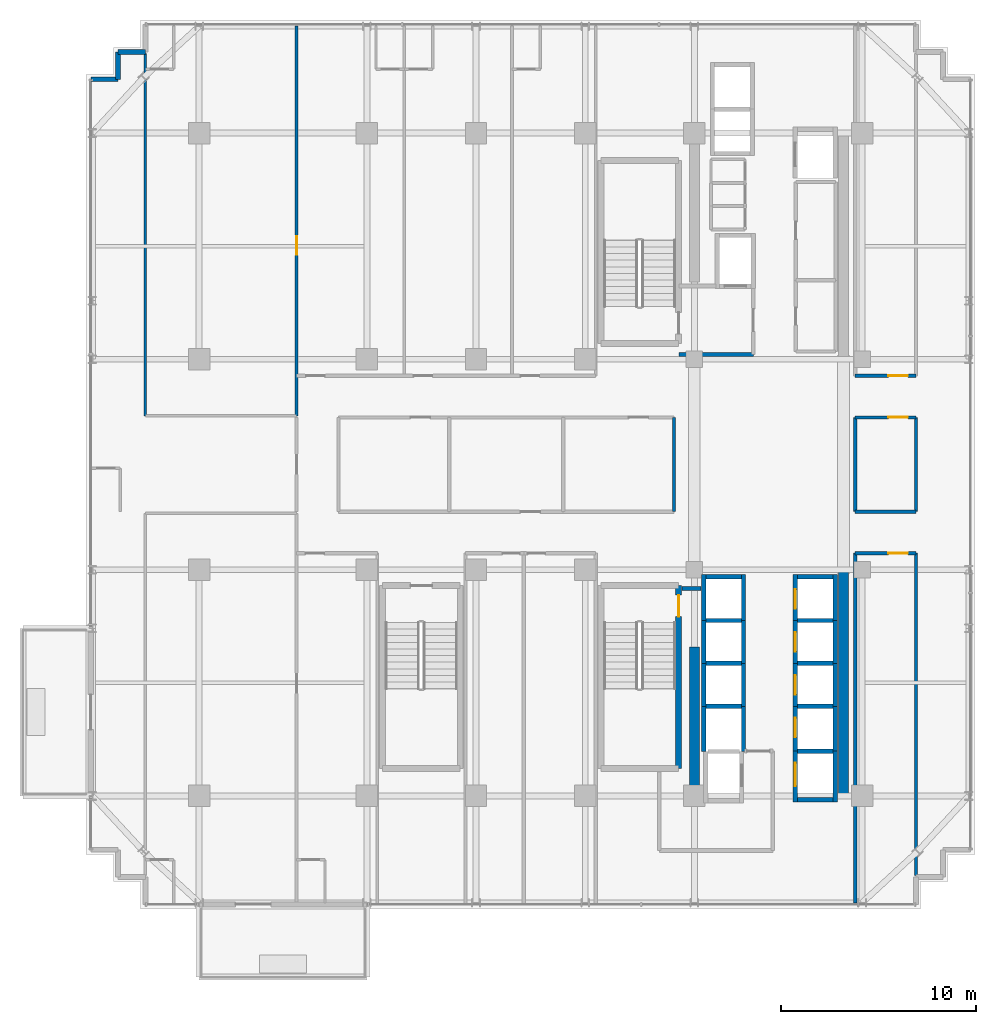
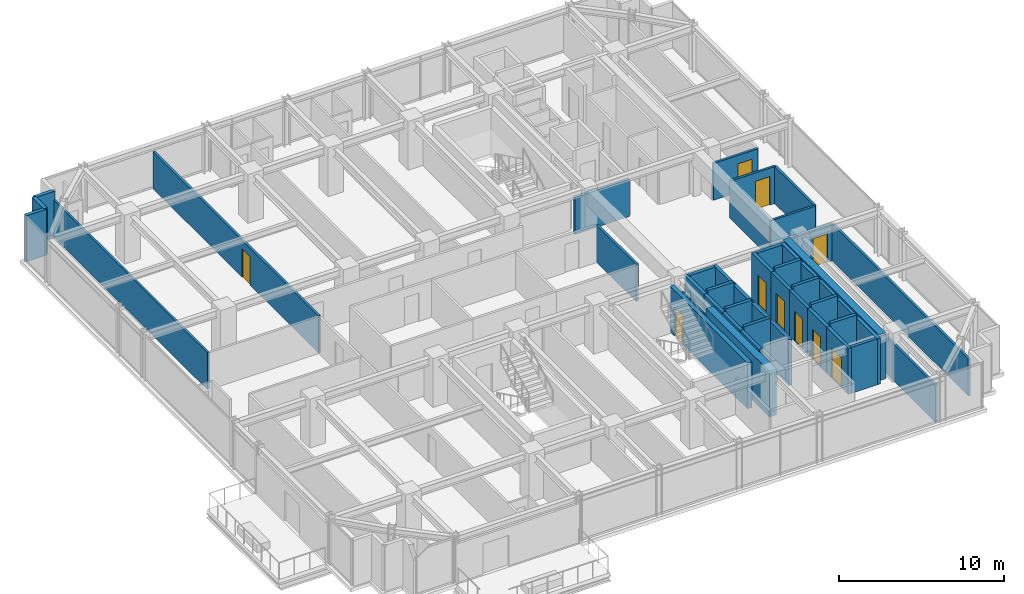
# One storey, part 26 of 31: 47 walls, 10 doors, 10 openings.
"""IFC4 building model written with IfcOpenShell, lengths in metres."""

from ifc_helpers import new_model, si_unit, direction, frame, frame_2d, origin, place, context, subcontext, project, spatial, rectangle, extrude, source, transform, mapped, material, layer, layer_set, type_object, element, fill, save


model = new_model("IFC4")

# Units and contexts
model_context = context("Model", 3, precision=1e-05, world=origin(), true_north=direction((0.0, 1.0)))
body_context = subcontext(model_context, "Body", "Model", "MODEL_VIEW")
ifc_project = project(units=[si_unit("LENGTHUNIT", "METRE"), si_unit("AREAUNIT", "SQUARE_METRE"), si_unit("VOLUMEUNIT", "CUBIC_METRE"), si_unit("PLANEANGLEUNIT", "RADIAN"), si_unit("MASSUNIT", "GRAM", prefix="KILO")], contexts=[model_context])

# Site, building, storey
site_placement = place(None, origin())
site = spatial("IfcSite", under=ifc_project, at=site_placement, CompositionType="ELEMENT")
building_placement = place(site_placement, origin())
building = spatial("IfcBuilding", under=site, at=building_placement, Name="Nahalor Promenade Grand Hotel", CompositionType="ELEMENT")
storey_placement = place(building_placement, frame((0.0, 0.0, 156.300048828125)))
storey = spatial("IfcBuildingStorey", under=building, at=storey_placement, Name="L39", CompositionType="ELEMENT", Elevation=156.300048828125)

# Walls
ifc_material_1 = material(Name="Concrete B-60 (C50/60)", Category="concrete")
ifc_layer_1 = layer(ifc_material_1, 0.5)
ifc_layer_set_1 = layer_set([ifc_layer_1], Name="Concrete B-60 (C50/60)")
wall_type_1 = type_object("IfcWallType", Name="Wall-CoreShear-500", PredefinedType="SHEAR", material=ifc_layer_set_1)
shared_shape_1 = source(origin(), body_context, "Body", "SweptSolid", [
    extrude(rectangle(XDim=7.64990234375, YDim=0.5, at=frame_2d((3.824951171875, 0.0))), origin(), (0.0, 0.0, 1.0), 3.389892578125),
])
wall_1_placement = place(storey_placement, frame((8.39990234375, -17.0, 0.0), z_axis=(0.0, 0.0, 1.0), x_axis=(0.0, 1.0, 0.0)))
element("IfcWall", 1, at=wall_1_placement, inside=storey, type_object=wall_type_1, Name="CWALL-L39-SW", PredefinedType="SHEAR", context=body_context, shape_type="MappedRepresentation", body=[
    mapped(shared_shape_1, transform((0.0, 0.0, 0.0), scale=1.0)),
])
shared_shape_2 = source(origin(), body_context, "Body", "SweptSolid", [
    extrude(rectangle(XDim=11.60009765625, YDim=0.5, at=frame_2d((5.800048828125, 0.0))), origin(), (0.0, 0.0, 1.0), 3.389892578125),
])
wall_2_placement = place(storey_placement, frame((16.050048828125, -17.0, 0.0), z_axis=(0.0, 0.0, 1.0), x_axis=(0.0, 1.0, 0.0)))
element("IfcWall", 2, at=wall_2_placement, inside=storey, type_object=wall_type_1, Name="CWALL-L39-SE", PredefinedType="SHEAR", context=body_context, shape_type="MappedRepresentation", body=[
    mapped(shared_shape_2, transform((0.0, 0.0, 0.0), scale=1.0)),
])

# Wall, opening, door
ifc_material_2 = material(Name="Concrete B-50 (C40/50)", Category="concrete")
ifc_layer_2 = layer(ifc_material_2, 0.300048828125)
ifc_layer_set_2 = layer_set([ifc_layer_2], Name="Concrete B-50 (C40/50)")
wall_type_2 = type_object("IfcWallType", Name="Wall-ShaftShear-300", PredefinedType="SHEAR", material=ifc_layer_set_2)
shared_shape_3 = source(origin(), body_context, "Body", "SweptSolid", [
    extrude(rectangle(XDim=9.380126953125, YDim=0.300048828125, at=frame_2d((4.68994140625, 0.0))), origin(), (0.0, 0.0, 1.0), 3.389892578125),
])
wall_3_placement = place(storey_placement, frame((7.590087890625, -15.590087890625, 0.0), z_axis=(0.0, 0.0, 1.0), x_axis=(0.0, 1.0, 0.0)))
wall_3 = element("IfcWall", 3, at=wall_3_placement, inside=storey, type_object=wall_type_2, Name="L39 Exit Stair ST2 Shaft Wall E", PredefinedType="SHEAR", context=body_context, shape_type="MappedRepresentation", body=[
    mapped(shared_shape_3, transform((0.0, 0.0, 0.0), scale=1.0)),
])
opening_1_placement = place(wall_3_placement, frame((7.7900390625, 0.0, 0.0)))
opening_1 = element("IfcOpeningElement", 4, at=opening_1_placement, cuts=wall_3, Name="Opening D-ST1", PredefinedType="OPENING", context=body_context, shape_type="SweptSolid", body=[
    extrude(rectangle(XDim=1.10009765625, YDim=2.14990234375, at=frame_2d((0.550048828125, 1.074951171875))), frame((0.0, 0.159912109375, 0.0), z_axis=(0.0, -1.0, 0.0), x_axis=(1.0, 0.0, 0.0)), (0.0, 0.0, 1.0), 0.320068359375),
])
ifc_material_3 = material(Name="Steel S355JR", Category="steel")
door_type_1 = type_object("IfcDoorType", Name="Door-StairFire-1100", OperationType="NOTDEFINED", PredefinedType="DOOR", material=ifc_material_3)
shared_shape_4 = source(origin(), body_context, "Body", "SweptSolid", [
    extrude(rectangle(XDim=1.10009765625, YDim=2.14990234375, at=frame_2d((0.550048828125, 1.074951171875))), frame((0.0, 0.02490234375, 0.0), z_axis=(0.0, -1.0, 0.0), x_axis=(1.0, 0.0, 0.0)), (0.0, 0.0, 1.0), 0.050048828125),
])
door_1_placement = place(opening_1_placement, origin())
door_1 = element("IfcDoor", 5, at=door_1_placement, inside=storey, type_object=door_type_1, Name="DR-STAIR-ST2-L39", OperationType="SINGLE_SWING_RIGHT", OverallHeight=2.14990234375, OverallWidth=1.10009765625, PredefinedType="DOOR", context=body_context, shape_type="MappedRepresentation", body=[
    mapped(shared_shape_4, transform((0.0, 0.0, 0.0), scale=1.0)),
])
fill(opening_1, door_1)

# Walls
ifc_layer_3 = layer(ifc_material_2, 0.219970703125)
ifc_layer_set_3 = layer_set([ifc_layer_3], Name="Concrete B-50 (C40/50)")
wall_type_3 = type_object("IfcWallType", Name="Wall-LiftShaft-220", PredefinedType="SHEAR", material=ifc_layer_set_3)
shared_shape_5 = source(origin(), body_context, "Body", "SweptSolid", [
    extrude(rectangle(XDim=1.820068359375, YDim=0.219970703125, at=frame_2d((0.91015625, 0.0))), origin(), (0.0, 0.0, 1.0), 3.64990234375),
])
for number, where, z_axis, x_axis, name in (
    (6, (13.68994140625, -8.0, 0.0), (0.0, 0.0, 1.0), (1.0, 0.0, 0.0), "L39 Lift PL6 Hoistway Wall N"),
    (7, (13.68994140625, -10.199951171875, 0.0), (0.0, 0.0, 1.0), (1.0, 0.0, 0.0), "L39 Lift PL7 Hoistway Wall N"),
    (8, (13.68994140625, -12.39990234375, 0.0), (0.0, 0.0, 1.0), (1.0, 0.0, 0.0), "L39 Lift PL8 Hoistway Wall N"),
    (9, (8.989990234375, -8.0, 0.0), (0.0, 0.0, 1.0), (1.0, 0.0, 0.0), "L39 Lift PL10 Hoistway Wall N"),
    (10, (8.989990234375, -10.199951171875, 0.0), (0.0, 0.0, 1.0), (1.0, 0.0, 0.0), "L39 Lift PL11 Hoistway Wall N"),
    (11, (8.989990234375, -12.39990234375, 0.0), (0.0, 0.0, 1.0), (1.0, 0.0, 0.0), "L39 Lift PL12 Hoistway Wall N"),
    (12, (13.68994140625, -14.699951171875, 0.0), (0.0, 0.0, 1.0), (1.0, 0.0, 0.0), "L39 Lift SV2 Hoistway Wall N"),
):
    element("IfcWall", number, at=place(storey_placement, frame(where, z_axis=z_axis, x_axis=x_axis)), inside=storey, type_object=wall_type_3, Name=name, PredefinedType="SHEAR", context=body_context, shape_type="MappedRepresentation", body=[
        mapped(shared_shape_5, transform((0.0, 0.0, 0.0), scale=1.0)),
    ])

# Wall, opening, door
shared_shape_6 = source(origin(), body_context, "Body", "SweptSolid", [
    extrude(rectangle(XDim=2.360107421875, YDim=0.219970703125, at=frame_2d((1.18017578125, 0.0))), origin(), (0.0, 0.0, 1.0), 3.389892578125),
])
wall_4_placement = place(storey_placement, frame((13.580078125, -8.0, 0.0), z_axis=(0.0, 0.0, 1.0), x_axis=(0.0, 1.0, 0.0)))
wall_4 = element("IfcWall", 13, at=wall_4_placement, inside=storey, type_object=wall_type_3, Name="L39 Lift PL5 Hoistway Wall W", PredefinedType="SHEAR", context=body_context, shape_type="MappedRepresentation", body=[
    mapped(shared_shape_6, transform((0.0, 0.0, 0.0), scale=1.0)),
])
opening_2_placement = place(wall_4_placement, frame((0.60009765625, 0.0, 0.0)))
opening_2 = element("IfcOpeningElement", 14, at=opening_2_placement, cuts=wall_4, Name="Opening LD-01", PredefinedType="OPENING", context=body_context, shape_type="SweptSolid", body=[
    extrude(rectangle(XDim=1.0, YDim=2.199951171875, at=frame_2d((0.5, 1.10009765625))), frame((0.0, 0.119873046875, 0.0), z_axis=(0.0, -1.0, 0.0), x_axis=(1.0, 0.0, 0.0)), (0.0, 0.0, 1.0), 0.239990234375),
])
door_type_2 = type_object("IfcDoorType", Name="Door-LiftLanding-1000", OperationType="DOUBLE_DOOR_SLIDING", PredefinedType="DOOR", material=ifc_material_3)
shared_shape_7 = source(origin(), body_context, "Body", "SweptSolid", [
    extrude(rectangle(XDim=1.0, YDim=2.199951171875, at=frame_2d((0.5, 1.10009765625))), frame((0.0, 0.02490234375, 0.0), z_axis=(0.0, -1.0, 0.0), x_axis=(1.0, 0.0, 0.0)), (0.0, 0.0, 1.0), 0.050048828125),
])
door_2_placement = place(opening_2_placement, origin())
door_2 = element("IfcDoor", 15, at=door_2_placement, inside=storey, type_object=door_type_2, Name="DR-LIFT-PL5-L39", OperationType="DOUBLE_DOOR_SLIDING", OverallHeight=2.199951171875, OverallWidth=1.0, PredefinedType="DOOR", context=body_context, shape_type="MappedRepresentation", body=[
    mapped(shared_shape_7, transform((0.0, 0.0, 0.0), scale=1.0)),
])
fill(opening_2, door_2)

# Walls
for number, where, z_axis, x_axis, name in (
    (16, (15.6201171875, -8.0, 0.0), (0.0, 0.0, 1.0), (0.0, 1.0, 0.0), "L39 Lift PL5 Hoistway Wall E"),
    (17, (8.8798828125, -8.0, 0.0), (0.0, 0.0, 1.0), (0.0, 1.0, 0.0), "L39 Lift PL9 Hoistway Wall W"),
    (18, (10.919921875, -8.0, 0.0), (0.0, 0.0, 1.0), (0.0, 1.0, 0.0), "L39 Lift PL9 Hoistway Wall E"),
):
    element("IfcWall", number, at=place(storey_placement, frame(where, z_axis=z_axis, x_axis=x_axis)), inside=storey, type_object=wall_type_3, Name=name, PredefinedType="SHEAR", context=body_context, shape_type="MappedRepresentation", body=[
        mapped(shared_shape_6, transform((0.0, 0.0, 0.0), scale=1.0)),
    ])
shared_shape_8 = source(origin(), body_context, "Body", "SweptSolid", [
    extrude(rectangle(XDim=1.820068359375, YDim=0.219970703125, at=frame_2d((0.91015625, 0.0))), origin(), (0.0, 0.0, 1.0), 3.389892578125),
])
for number, where, z_axis, x_axis, name in (
    (19, (13.68994140625, -5.75, 0.0), (0.0, 0.0, 1.0), (1.0, 0.0, 0.0), "L39 Lift PL5 Hoistway Wall N"),
    (20, (8.989990234375, -5.75, 0.0), (0.0, 0.0, 1.0), (1.0, 0.0, 0.0), "L39 Lift PL9 Hoistway Wall N"),
    (21, (13.68994140625, -17.199951171875, 0.0), (0.0, 0.0, 1.0), (1.0, 0.0, 0.0), "L39 Lift SV2 Hoistway Wall S"),
):
    element("IfcWall", number, at=place(storey_placement, frame(where, z_axis=z_axis, x_axis=x_axis)), inside=storey, type_object=wall_type_3, Name=name, PredefinedType="SHEAR", context=body_context, shape_type="MappedRepresentation", body=[
        mapped(shared_shape_8, transform((0.0, 0.0, 0.0), scale=1.0)),
    ])

# Wall, opening, door
shared_shape_9 = source(origin(), body_context, "Body", "SweptSolid", [
    extrude(rectangle(XDim=2.199951171875, YDim=0.219970703125, at=frame_2d((1.10009765625, 0.0))), origin(), (0.0, 0.0, 1.0), 3.389892578125),
])
wall_5_placement = place(storey_placement, frame((13.580078125, -10.199951171875, 0.0), z_axis=(0.0, 0.0, 1.0), x_axis=(0.0, 1.0, 0.0)))
wall_5 = element("IfcWall", 22, at=wall_5_placement, inside=storey, type_object=wall_type_3, Name="L39 Lift PL6 Hoistway Wall W", PredefinedType="SHEAR", context=body_context, shape_type="MappedRepresentation", body=[
    mapped(shared_shape_9, transform((0.0, 0.0, 0.0), scale=1.0)),
])
opening_3_placement = place(wall_5_placement, frame((0.60009765625, 0.0, 0.0)))
opening_3 = element("IfcOpeningElement", 23, at=opening_3_placement, cuts=wall_5, Name="Opening LD-01", PredefinedType="OPENING", context=body_context, shape_type="SweptSolid", body=[
    extrude(rectangle(XDim=1.0, YDim=2.199951171875, at=frame_2d((0.5, 1.10009765625))), frame((0.0, 0.119873046875, 0.0), z_axis=(0.0, -1.0, 0.0), x_axis=(1.0, 0.0, 0.0)), (0.0, 0.0, 1.0), 0.239990234375),
])
door_3_placement = place(opening_3_placement, origin())
door_3 = element("IfcDoor", 24, at=door_3_placement, inside=storey, type_object=door_type_2, Name="DR-LIFT-PL6-L39", OperationType="DOUBLE_DOOR_SLIDING", OverallHeight=2.199951171875, OverallWidth=1.0, PredefinedType="DOOR", context=body_context, shape_type="MappedRepresentation", body=[
    mapped(shared_shape_7, transform((0.0, 0.0, 0.0), scale=1.0)),
])
fill(opening_3, door_3)

# Wall
wall_6_placement = place(storey_placement, frame((15.6201171875, -10.199951171875, 0.0), z_axis=(0.0, 0.0, 1.0), x_axis=(0.0, 1.0, 0.0)))
element("IfcWall", 25, at=wall_6_placement, inside=storey, type_object=wall_type_3, Name="L39 Lift PL6 Hoistway Wall E", PredefinedType="SHEAR", context=body_context, shape_type="MappedRepresentation", body=[
    mapped(shared_shape_9, transform((0.0, 0.0, 0.0), scale=1.0)),
])

# Wall, opening, door
wall_7_placement = place(storey_placement, frame((13.580078125, -12.39990234375, 0.0), z_axis=(0.0, 0.0, 1.0), x_axis=(0.0, 1.0, 0.0)))
wall_7 = element("IfcWall", 26, at=wall_7_placement, inside=storey, type_object=wall_type_3, Name="L39 Lift PL7 Hoistway Wall W", PredefinedType="SHEAR", context=body_context, shape_type="MappedRepresentation", body=[
    mapped(shared_shape_9, transform((0.0, 0.0, 0.0), scale=1.0)),
])
opening_4_placement = place(wall_7_placement, frame((0.60009765625, 0.0, 0.0)))
opening_4 = element("IfcOpeningElement", 27, at=opening_4_placement, cuts=wall_7, Name="Opening LD-01", PredefinedType="OPENING", context=body_context, shape_type="SweptSolid", body=[
    extrude(rectangle(XDim=1.0, YDim=2.199951171875, at=frame_2d((0.5, 1.10009765625))), frame((0.0, 0.119873046875, 0.0), z_axis=(0.0, -1.0, 0.0), x_axis=(1.0, 0.0, 0.0)), (0.0, 0.0, 1.0), 0.239990234375),
])
door_4_placement = place(opening_4_placement, origin())
door_4 = element("IfcDoor", 28, at=door_4_placement, inside=storey, type_object=door_type_2, Name="DR-LIFT-PL7-L39", OperationType="DOUBLE_DOOR_SLIDING", OverallHeight=2.199951171875, OverallWidth=1.0, PredefinedType="DOOR", context=body_context, shape_type="MappedRepresentation", body=[
    mapped(shared_shape_7, transform((0.0, 0.0, 0.0), scale=1.0)),
])
fill(opening_4, door_4)

# Walls
for number, where, z_axis, x_axis, name in (
    (29, (15.6201171875, -12.39990234375, 0.0), (0.0, 0.0, 1.0), (0.0, 1.0, 0.0), "L39 Lift PL7 Hoistway Wall E"),
    (30, (8.8798828125, -10.199951171875, 0.0), (0.0, 0.0, 1.0), (0.0, 1.0, 0.0), "L39 Lift PL10 Hoistway Wall W"),
    (31, (10.919921875, -10.199951171875, 0.0), (0.0, 0.0, 1.0), (0.0, 1.0, 0.0), "L39 Lift PL10 Hoistway Wall E"),
    (32, (8.8798828125, -12.39990234375, 0.0), (0.0, 0.0, 1.0), (0.0, 1.0, 0.0), "L39 Lift PL11 Hoistway Wall W"),
    (33, (10.919921875, -12.39990234375, 0.0), (0.0, 0.0, 1.0), (0.0, 1.0, 0.0), "L39 Lift PL11 Hoistway Wall E"),
):
    element("IfcWall", number, at=place(storey_placement, frame(where, z_axis=z_axis, x_axis=x_axis)), inside=storey, type_object=wall_type_3, Name=name, PredefinedType="SHEAR", context=body_context, shape_type="MappedRepresentation", body=[
        mapped(shared_shape_9, transform((0.0, 0.0, 0.0), scale=1.0)),
    ])

# Wall, opening, door
shared_shape_10 = source(origin(), body_context, "Body", "SweptSolid", [
    extrude(rectangle(XDim=2.300048828125, YDim=0.219970703125, at=frame_2d((1.14990234375, 0.0))), origin(), (0.0, 0.0, 1.0), 3.389892578125),
])
wall_8_placement = place(storey_placement, frame((13.580078125, -14.699951171875, 0.0), z_axis=(0.0, 0.0, 1.0), x_axis=(0.0, 1.0, 0.0)))
wall_8 = element("IfcWall", 34, at=wall_8_placement, inside=storey, type_object=wall_type_3, Name="L39 Lift PL8 Hoistway Wall W", PredefinedType="SHEAR", context=body_context, shape_type="MappedRepresentation", body=[
    mapped(shared_shape_10, transform((0.0, 0.0, 0.0), scale=1.0)),
])
opening_5_placement = place(wall_8_placement, frame((0.699951171875, 0.0, 0.0)))
opening_5 = element("IfcOpeningElement", 35, at=opening_5_placement, cuts=wall_8, Name="Opening LD-01", PredefinedType="OPENING", context=body_context, shape_type="SweptSolid", body=[
    extrude(rectangle(XDim=1.0, YDim=2.199951171875, at=frame_2d((0.5, 1.10009765625))), frame((0.0, 0.119873046875, 0.0), z_axis=(0.0, -1.0, 0.0), x_axis=(1.0, 0.0, 0.0)), (0.0, 0.0, 1.0), 0.239990234375),
])
door_5_placement = place(opening_5_placement, origin())
door_5 = element("IfcDoor", 36, at=door_5_placement, inside=storey, type_object=door_type_2, Name="DR-LIFT-PL8-L39", OperationType="DOUBLE_DOOR_SLIDING", OverallHeight=2.199951171875, OverallWidth=1.0, PredefinedType="DOOR", context=body_context, shape_type="MappedRepresentation", body=[
    mapped(shared_shape_7, transform((0.0, 0.0, 0.0), scale=1.0)),
])
fill(opening_5, door_5)

# Walls
wall_9_placement = place(storey_placement, frame((15.6201171875, -14.699951171875, 0.0), z_axis=(0.0, 0.0, 1.0), x_axis=(0.0, 1.0, 0.0)))
element("IfcWall", 37, at=wall_9_placement, inside=storey, type_object=wall_type_3, Name="L39 Lift PL8 Hoistway Wall E", PredefinedType="SHEAR", context=body_context, shape_type="MappedRepresentation", body=[
    mapped(shared_shape_10, transform((0.0, 0.0, 0.0), scale=1.0)),
])
shared_shape_11 = source(origin(), body_context, "Body", "SweptSolid", [
    extrude(rectangle(XDim=2.3251953125, YDim=0.219970703125, at=frame_2d((1.16259765625, 0.0))), origin(), (0.0, 0.0, 1.0), 3.389892578125),
])
for number, where, z_axis, x_axis, name in (
    (38, (8.8798828125, -14.72509765625, 0.0), (0.0, 0.0, 1.0), (0.0, 1.0, 0.0), "L39 Lift PL12 Hoistway Wall W"),
    (39, (10.919921875, -14.72509765625, 0.0), (0.0, 0.0, 1.0), (0.0, 1.0, 0.0), "L39 Lift PL12 Hoistway Wall E"),
):
    element("IfcWall", number, at=place(storey_placement, frame(where, z_axis=z_axis, x_axis=x_axis)), inside=storey, type_object=wall_type_3, Name=name, PredefinedType="SHEAR", context=body_context, shape_type="MappedRepresentation", body=[
        mapped(shared_shape_11, transform((0.0, 0.0, 0.0), scale=1.0)),
    ])

# Wall, opening, door
shared_shape_12 = source(origin(), body_context, "Body", "SweptSolid", [
    extrude(rectangle(XDim=2.610107421875, YDim=0.219970703125, at=frame_2d((1.30517578125, 0.0))), origin(), (0.0, 0.0, 1.0), 3.389892578125),
])
wall_10_placement = place(storey_placement, frame((13.580078125, -17.31005859375, 0.0), z_axis=(0.0, 0.0, 1.0), x_axis=(0.0, 1.0, 0.0)))
wall_10 = element("IfcWall", 40, at=wall_10_placement, inside=storey, type_object=wall_type_3, Name="L39 Lift SV2 Hoistway Wall W", PredefinedType="SHEAR", context=body_context, shape_type="MappedRepresentation", body=[
    mapped(shared_shape_12, transform((0.0, 0.0, 0.0), scale=1.0)),
])
opening_6_placement = place(wall_10_placement, frame((0.81005859375, 0.0, 0.0)))
opening_6 = element("IfcOpeningElement", 41, at=opening_6_placement, cuts=wall_10, Name="Opening LD-03", PredefinedType="OPENING", context=body_context, shape_type="SweptSolid", body=[
    extrude(rectangle(XDim=1.199951171875, YDim=2.199951171875, at=frame_2d((0.60009765625, 1.10009765625))), frame((0.0, 0.119873046875, 0.0), z_axis=(0.0, -1.0, 0.0), x_axis=(1.0, 0.0, 0.0)), (0.0, 0.0, 1.0), 0.239990234375),
])
door_type_3 = type_object("IfcDoorType", Name="Door-LiftService-1200", OperationType="DOUBLE_DOOR_SLIDING", PredefinedType="DOOR", material=ifc_material_3)
shared_shape_13 = source(origin(), body_context, "Body", "SweptSolid", [
    extrude(rectangle(XDim=1.199951171875, YDim=2.199951171875, at=frame_2d((0.60009765625, 1.10009765625))), frame((0.0, 0.02490234375, 0.0), z_axis=(0.0, -1.0, 0.0), x_axis=(1.0, 0.0, 0.0)), (0.0, 0.0, 1.0), 0.050048828125),
])
door_6_placement = place(opening_6_placement, origin())
door_6 = element("IfcDoor", 42, at=door_6_placement, inside=storey, type_object=door_type_3, Name="DR-LIFT-SV2-L39", OperationType="DOUBLE_DOOR_SLIDING", OverallHeight=2.199951171875, OverallWidth=1.199951171875, PredefinedType="DOOR", context=body_context, shape_type="MappedRepresentation", body=[
    mapped(shared_shape_13, transform((0.0, 0.0, 0.0), scale=1.0)),
])
fill(opening_6, door_6)

# Walls
wall_11_placement = place(storey_placement, frame((15.6201171875, -17.31005859375, 0.0), z_axis=(0.0, 0.0, 1.0), x_axis=(0.0, 1.0, 0.0)))
element("IfcWall", 43, at=wall_11_placement, inside=storey, type_object=wall_type_3, Name="L39 Lift SV2 Hoistway Wall E", PredefinedType="SHEAR", context=body_context, shape_type="MappedRepresentation", body=[
    mapped(shared_shape_12, transform((0.0, 0.0, 0.0), scale=1.0)),
])
ifc_material_4 = material(Name="Concrete B-40 (C32/40)", Category="concrete")
ifc_layer_4 = layer(ifc_material_4, 0.25)
ifc_layer_set_4 = layer_set([ifc_layer_4], Name="Concrete B-40 (C32/40)")
wall_type_4 = type_object("IfcWallType", Name="Wall-BronzePier-250", PredefinedType="STANDARD", material=ifc_layer_set_4)
shared_shape_14 = source(origin(), body_context, "Body", "SweptSolid", [
    extrude(rectangle(XDim=1.400146484375, YDim=0.25, at=frame_2d((0.7001953125, 0.0))), origin(), (0.0, 0.0, 1.0), 3.389892578125),
])
wall_12_placement = place(storey_placement, frame((-22.56005859375, 19.760009765625, 0.0), z_axis=(0.0, 0.0, 1.0), x_axis=(1.0, 0.0, 0.0)))
element("IfcWall", 44, at=wall_12_placement, inside=storey, type_object=wall_type_4, Name="W-L39-SR-12", PredefinedType="STANDARD", context=body_context, shape_type="MappedRepresentation", body=[
    mapped(shared_shape_14, transform((0.0, 0.0, 0.0), scale=1.0)),
])
shared_shape_15 = source(origin(), body_context, "Body", "SweptSolid", [
    extrude(rectangle(XDim=1.39990234375, YDim=0.25, at=frame_2d((0.699951171875, 0.0))), origin(), (0.0, 0.0, 1.0), 3.389892578125),
])
for number, where, z_axis, x_axis, name in (
    (45, (-21.159912109375, 21.159912109375, 0.0), (0.0, 0.0, 1.0), (1.0, 0.0, 0.0), "W-L39-SR-10"),
    (46, (-21.159912109375, 19.760009765625, 0.0), (0.0, 0.0, 1.0), (0.0, 1.0, 0.0), "W-L39-SR-11"),
):
    element("IfcWall", number, at=place(storey_placement, frame(where, z_axis=z_axis, x_axis=x_axis)), inside=storey, type_object=wall_type_4, Name=name, PredefinedType="STANDARD", context=body_context, shape_type="MappedRepresentation", body=[
        mapped(shared_shape_15, transform((0.0, 0.0, 0.0), scale=1.0)),
    ])
ifc_layer_5 = layer(ifc_material_4, 0.199951171875)
ifc_layer_set_5 = layer_set([ifc_layer_5], Name="Concrete B-40 (C32/40)")
wall_type_5 = type_object("IfcWallType", Name="Wall-PartFire-200", PredefinedType="PARTITIONING", material=ifc_layer_set_5)
shared_shape_16 = source(origin(), body_context, "Body", "SweptSolid", [
    extrude(rectangle(XDim=3.81982421875, YDim=0.199951171875, at=frame_2d((1.909912109375, 0.0))), origin(), (0.0, 0.0, 1.0), 2.72998046875),
])
wall_13_placement = place(storey_placement, frame((7.60009765625, 5.64990234375, 0.0), z_axis=(0.0, 0.0, 1.0), x_axis=(1.0, 0.0, 0.0)))
element("IfcWall", 47, at=wall_13_placement, inside=storey, type_object=wall_type_5, Name="W-L39-FF1-S", PredefinedType="PARTITIONING", context=body_context, shape_type="MappedRepresentation", body=[
    mapped(shared_shape_16, transform((0.0, 0.0, 0.0), scale=1.0)),
])
shared_shape_17 = source(origin(), body_context, "Body", "SweptSolid", [
    extrude(rectangle(XDim=0.969970703125, YDim=0.199951171875, at=frame_2d((0.48486328125, 0.0))), origin(), (0.0, 0.0, 1.0), 2.72998046875),
])
wall_14_placement = place(storey_placement, frame((7.77001953125, -6.35009765625, 0.0), z_axis=(0.0, 0.0, 1.0), x_axis=(1.0, 0.0, 0.0)))
element("IfcWall", 48, at=wall_14_placement, inside=storey, type_object=wall_type_5, Name="W-L39-FF2-N2", PredefinedType="PARTITIONING", context=body_context, shape_type="MappedRepresentation", body=[
    mapped(shared_shape_17, transform((0.0, 0.0, 0.0), scale=1.0)),
])

# Wall, opening, door
ifc_material_5 = material(Name="Acoustic Mineral Gypsum", Category="gypsum")
ifc_layer_6 = layer(ifc_material_5, 0.159912109375)
ifc_layer_set_6 = layer_set([ifc_layer_6], Name="Acoustic Mineral Gypsum")
wall_type_6 = type_object("IfcWallType", Name="Wall-PartCorridor-160", PredefinedType="PARTITIONING", material=ifc_layer_set_6)
shared_shape_18 = source(origin(), body_context, "Body", "SweptSolid", [
    extrude(rectangle(XDim=3.110107421875, YDim=0.159912109375, at=frame_2d((1.55517578125, 0.0))), origin(), (0.0, 0.0, 1.0), 2.72998046875),
])
wall_15_placement = place(storey_placement, frame((16.64990234375, 4.550048828125, 0.0), z_axis=(0.0, 0.0, 1.0), x_axis=(1.0, 0.0, 0.0)))
wall_15 = element("IfcWall", 49, at=wall_15_placement, inside=storey, type_object=wall_type_6, Name="W-L39-ENE-S", PredefinedType="PARTITIONING", context=body_context, shape_type="MappedRepresentation", body=[
    mapped(shared_shape_18, transform((0.0, 0.0, 0.0), scale=1.0)),
])
opening_7_placement = place(wall_15_placement, frame((1.700927734375, 0.0, 0.0)))
opening_7 = element("IfcOpeningElement", 50, at=opening_7_placement, cuts=wall_15, Name="Opening D-04", PredefinedType="OPENING", context=body_context, shape_type="SweptSolid", body=[
    extrude(rectangle(XDim=1.0, YDim=2.10009765625, at=frame_2d((0.5, 1.050048828125))), frame((0.0, 0.08984375, 0.0), z_axis=(0.0, -1.0, 0.0), x_axis=(1.0, 0.0, 0.0)), (0.0, 0.0, 1.0), 0.179931640625),
])
door_type_4 = type_object("IfcDoorType", Name="Door-ServiceFire-1000", OperationType="NOTDEFINED", PredefinedType="DOOR", material=ifc_material_3)
shared_shape_19 = source(origin(), body_context, "Body", "SweptSolid", [
    extrude(rectangle(XDim=1.0, YDim=2.10009765625, at=frame_2d((0.5, 1.050048828125))), frame((0.0, 0.02490234375, 0.0), z_axis=(0.0, -1.0, 0.0), x_axis=(1.0, 0.0, 0.0)), (0.0, 0.0, 1.0), 0.050048828125),
])
door_7_placement = place(opening_7_placement, origin())
door_7 = element("IfcDoor", 51, at=door_7_placement, inside=storey, type_object=door_type_4, Name="DR-L39-ENE", OperationType="SINGLE_SWING_RIGHT", OverallHeight=2.10009765625, OverallWidth=1.0, PredefinedType="DOOR", context=body_context, shape_type="MappedRepresentation", body=[
    mapped(shared_shape_19, transform((0.0, 0.0, 0.0), scale=1.0)),
])
fill(opening_7, door_7)

wall_16_placement = place(storey_placement, frame((16.64990234375, -4.550048828125, 0.0), z_axis=(0.0, 0.0, 1.0), x_axis=(1.0, 0.0, 0.0)))
wall_16 = element("IfcWall", 52, at=wall_16_placement, inside=storey, type_object=wall_type_6, Name="W-L39-ESE-N", PredefinedType="PARTITIONING", context=body_context, shape_type="MappedRepresentation", body=[
    mapped(shared_shape_18, transform((0.0, 0.0, 0.0), scale=1.0)),
])
opening_8_placement = place(wall_16_placement, frame((1.700927734375, 0.0, 0.0)))
opening_8 = element("IfcOpeningElement", 53, at=opening_8_placement, cuts=wall_16, Name="Opening D-04", PredefinedType="OPENING", context=body_context, shape_type="SweptSolid", body=[
    extrude(rectangle(XDim=1.0, YDim=2.10009765625, at=frame_2d((0.5, 1.050048828125))), frame((0.0, 0.08984375, 0.0), z_axis=(0.0, -1.0, 0.0), x_axis=(1.0, 0.0, 0.0)), (0.0, 0.0, 1.0), 0.179931640625),
])
door_8_placement = place(opening_8_placement, frame((1.0, 0.0, 0.0), z_axis=(0.0, 0.0, 1.0), x_axis=(-1.0, 0.0, 0.0)))
door_8 = element("IfcDoor", 54, at=door_8_placement, inside=storey, type_object=door_type_4, Name="DR-L39-ESE", OperationType="SINGLE_SWING_LEFT", OverallHeight=2.10009765625, OverallWidth=1.0, PredefinedType="DOOR", context=body_context, shape_type="MappedRepresentation", body=[
    mapped(shared_shape_19, transform((0.0, 0.0, 0.0), scale=1.0)),
])
fill(opening_8, door_8)

# Wall
wall_17_placement = place(storey_placement, frame((16.64990234375, -2.419921875, 0.0), z_axis=(0.0, 0.0, 1.0), x_axis=(1.0, 0.0, 0.0)))
element("IfcWall", 55, at=wall_17_placement, inside=storey, type_object=wall_type_6, Name="W-L39-ECW-S", PredefinedType="PARTITIONING", context=body_context, shape_type="MappedRepresentation", body=[
    mapped(shared_shape_18, transform((0.0, 0.0, 0.0), scale=1.0)),
])

# Wall, opening, door
wall_18_placement = place(storey_placement, frame((16.64990234375, 2.419921875, 0.0), z_axis=(0.0, 0.0, 1.0), x_axis=(1.0, 0.0, 0.0)))
wall_18 = element("IfcWall", 56, at=wall_18_placement, inside=storey, type_object=wall_type_6, Name="W-L39-ECW-N", PredefinedType="PARTITIONING", context=body_context, shape_type="MappedRepresentation", body=[
    mapped(shared_shape_18, transform((0.0, 0.0, 0.0), scale=1.0)),
])
opening_9_placement = place(wall_18_placement, frame((1.700927734375, 0.0, 0.0)))
opening_9 = element("IfcOpeningElement", 57, at=opening_9_placement, cuts=wall_18, Name="Opening D-04", PredefinedType="OPENING", context=body_context, shape_type="SweptSolid", body=[
    extrude(rectangle(XDim=1.0, YDim=2.10009765625, at=frame_2d((0.5, 1.050048828125))), frame((0.0, 0.08984375, 0.0), z_axis=(0.0, -1.0, 0.0), x_axis=(1.0, 0.0, 0.0)), (0.0, 0.0, 1.0), 0.179931640625),
])
door_9_placement = place(opening_9_placement, frame((1.0, 0.0, 0.0), z_axis=(0.0, 0.0, 1.0), x_axis=(-1.0, 0.0, 0.0)))
door_9 = element("IfcDoor", 58, at=door_9_placement, inside=storey, type_object=door_type_4, Name="DR-L39-ECW", OperationType="SINGLE_SWING_LEFT", OverallHeight=2.10009765625, OverallWidth=1.0, PredefinedType="DOOR", context=body_context, shape_type="MappedRepresentation", body=[
    mapped(shared_shape_19, transform((0.0, 0.0, 0.0), scale=1.0)),
])
fill(opening_9, door_9)

# Walls
shared_shape_20 = source(origin(), body_context, "Body", "SweptSolid", [
    extrude(rectangle(XDim=17.949951171875, YDim=0.159912109375, at=frame_2d((8.97509765625, 0.0))), origin(), (0.0, 0.0, 1.0), 2.72998046875),
])
wall_19_placement = place(storey_placement, frame((16.64990234375, -22.5, 0.0), z_axis=(0.0, 0.0, 1.0), x_axis=(0.0, 1.0, 0.0)))
element("IfcWall", 59, at=wall_19_placement, inside=storey, type_object=wall_type_6, Name="W-L39-ESE-W", PredefinedType="PARTITIONING", context=body_context, shape_type="MappedRepresentation", body=[
    mapped(shared_shape_20, transform((0.0, 0.0, 0.0), scale=1.0)),
])
shared_shape_21 = source(origin(), body_context, "Body", "SweptSolid", [
    extrude(rectangle(XDim=16.530029296875, YDim=0.159912109375, at=frame_2d((8.26513671875, 0.0))), origin(), (0.0, 0.0, 1.0), 2.72998046875),
])
wall_20_placement = place(storey_placement, frame((19.760009765625, -21.080078125, 0.0), z_axis=(0.0, 0.0, 1.0), x_axis=(0.0, 1.0, 0.0)))
element("IfcWall", 60, at=wall_20_placement, inside=storey, type_object=wall_type_6, Name="W-L39-ESE-E", PredefinedType="PARTITIONING", context=body_context, shape_type="MappedRepresentation", body=[
    mapped(shared_shape_21, transform((0.0, 0.0, 0.0), scale=1.0)),
])

# Wall, opening, door
shared_shape_22 = source(origin(), body_context, "Body", "SweptSolid", [
    extrude(rectangle(XDim=20.0, YDim=0.159912109375, at=frame_2d((10.0, 0.0))), origin(), (0.0, 0.0, 1.0), 2.72998046875),
])
wall_21_placement = place(storey_placement, frame((-12.0, 2.5, 0.0), z_axis=(0.0, 0.0, 1.0), x_axis=(0.0, 1.0, 0.0)))
wall_21 = element("IfcWall", 61, at=wall_21_placement, inside=storey, type_object=wall_type_6, Name="W-L39-ZNW-E", PredefinedType="PARTITIONING", context=body_context, shape_type="MappedRepresentation", body=[
    mapped(shared_shape_22, transform((0.0, 0.0, 0.0), scale=1.0)),
])
opening_10_placement = place(wall_21_placement, frame((8.264892578125, 0.0, 0.0)))
opening_10 = element("IfcOpeningElement", 62, at=opening_10_placement, cuts=wall_21, Name="Opening D-01", PredefinedType="OPENING", context=body_context, shape_type="SweptSolid", body=[
    extrude(rectangle(XDim=0.949951171875, YDim=2.10009765625, at=frame_2d((0.47509765625, 1.050048828125))), frame((0.0, 0.08984375, 0.0), z_axis=(0.0, -1.0, 0.0), x_axis=(1.0, 0.0, 0.0)), (0.0, 0.0, 1.0), 0.179931640625),
])
ifc_material_6 = material(Name="Fire-Rated Timber Composite", Category="wood")
door_type_5 = type_object("IfcDoorType", Name="Door-GuestEntry-950", OperationType="NOTDEFINED", PredefinedType="DOOR", material=ifc_material_6)
shared_shape_23 = source(origin(), body_context, "Body", "SweptSolid", [
    extrude(rectangle(XDim=0.949951171875, YDim=2.10009765625, at=frame_2d((0.47509765625, 1.050048828125))), frame((0.0, 0.02490234375, 0.0), z_axis=(0.0, -1.0, 0.0), x_axis=(1.0, 0.0, 0.0)), (0.0, 0.0, 1.0), 0.050048828125),
])
door_10_placement = place(opening_10_placement, origin())
door_10 = element("IfcDoor", 63, at=door_10_placement, inside=storey, type_object=door_type_5, Name="DR-L39-NW0-ENT", OperationType="SINGLE_SWING_LEFT", OverallHeight=2.10009765625, OverallWidth=0.949951171875, PredefinedType="DOOR", context=body_context, shape_type="MappedRepresentation", body=[
    mapped(shared_shape_23, transform((0.0, 0.0, 0.0), scale=1.0)),
])
fill(opening_10, door_10)

# Walls
ifc_layer_7 = layer(ifc_material_5, 0.139892578125)
ifc_layer_set_7 = layer_set([ifc_layer_7], Name="Acoustic Mineral Gypsum")
wall_type_7 = type_object("IfcWallType", Name="Wall-PartSuite-140", PredefinedType="PARTITIONING", material=ifc_layer_set_7)
shared_shape_24 = source(origin(), body_context, "Body", "SweptSolid", [
    extrude(rectangle(XDim=18.580078125, YDim=0.139892578125, at=frame_2d((9.2900390625, 0.0))), origin(), (0.0, 0.0, 1.0), 2.72998046875),
])
wall_22_placement = place(storey_placement, frame((-19.760009765625, 2.5, 0.0), z_axis=(0.0, 0.0, 1.0), x_axis=(0.0, 1.0, 0.0)))
element("IfcWall", 64, at=wall_22_placement, inside=storey, type_object=wall_type_7, Name="W-L39-ZNW-W", PredefinedType="PARTITIONING", context=body_context, shape_type="MappedRepresentation", body=[
    mapped(shared_shape_24, transform((0.0, 0.0, 0.0), scale=1.0)),
])
shared_shape_25 = source(origin(), body_context, "Body", "SweptSolid", [
    extrude(rectangle(XDim=4.83984375, YDim=0.159912109375, at=frame_2d((2.419921875, 0.0))), origin(), (0.0, 0.0, 1.0), 2.72998046875),
])
for number, where, z_axis, x_axis, name in (
    (65, (7.35009765625, -2.419921875, 0.0), (0.0, 0.0, 1.0), (0.0, 1.0, 0.0), "W-L39-CM3-E"),
    (66, (16.64990234375, -2.419921875, 0.0), (0.0, 0.0, 1.0), (0.0, 1.0, 0.0), "W-L39-ECW-W"),
    (67, (19.760009765625, -2.419921875, 0.0), (0.0, 0.0, 1.0), (0.0, 1.0, 0.0), "W-L39-ECW-E"),
):
    element("IfcWall", number, at=place(storey_placement, frame(where, z_axis=z_axis, x_axis=x_axis)), inside=storey, type_object=wall_type_6, Name=name, PredefinedType="PARTITIONING", context=body_context, shape_type="MappedRepresentation", body=[
        mapped(shared_shape_25, transform((0.0, 0.0, 0.0), scale=1.0)),
    ])

save(model, "model.ifc")
